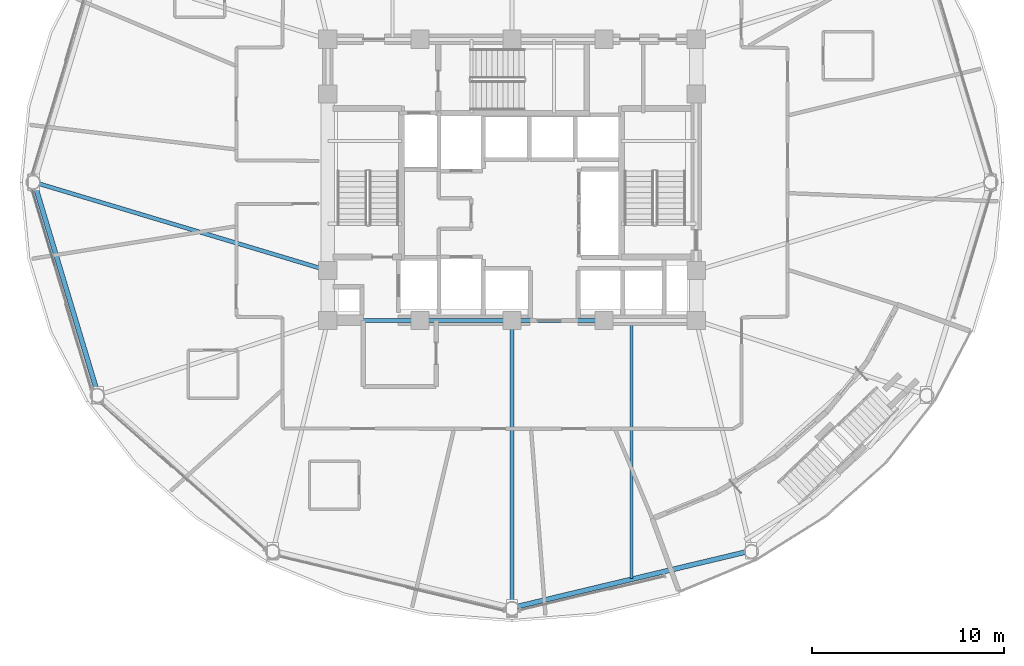
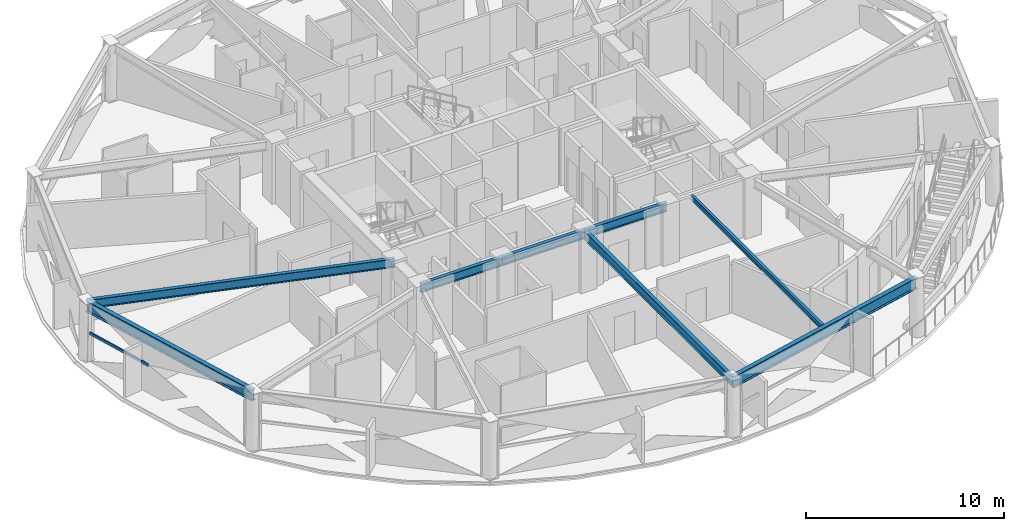
# One storey, part 3 of 18: 8 beams, 1 member, 1 element without a shape of its own.
"""IFC4 building model written with IfcOpenShell, lengths in metres."""

from ifc_helpers import new_model, si_unit, direction, frame, origin, origin_2d, place, context, subcontext, project, spatial, hollow_rectangle, i_section, extrude, material, layer, layer_set, material_profile, profile_set, type_object, element, aggregate, save


model = new_model("IFC4")

# Units and contexts
model_context = context("Model", 3, precision=1e-05, world=origin(), true_north=direction((0.0, 1.0)))
body_context = subcontext(model_context, "Body", "Model", "MODEL_VIEW")
ifc_project = project(units=[si_unit("LENGTHUNIT", "METRE"), si_unit("AREAUNIT", "SQUARE_METRE"), si_unit("VOLUMEUNIT", "CUBIC_METRE"), si_unit("PLANEANGLEUNIT", "RADIAN"), si_unit("MASSUNIT", "GRAM", prefix="KILO")], contexts=[model_context])

# Site, building, storey
site_placement = place(None, origin())
site = spatial("IfcSite", under=ifc_project, at=site_placement, CompositionType="ELEMENT")
building_placement = place(site_placement, origin())
building = spatial("IfcBuilding", under=site, at=building_placement, Name="Vantalir Tower", CompositionType="ELEMENT")
storey_placement = place(building_placement, frame((0.0, 0.0, 138.449951171875)))
storey = spatial("IfcBuildingStorey", under=building, at=storey_placement, Name="L34", CompositionType="ELEMENT", Elevation=138.449951171875)

# Beams
ifc_material_1 = material(Name="Steel S355", Category="steel")
ifc_material_profile_1 = material_profile(ifc_material_1, i_section(OverallWidth=0.166015625, OverallDepth=0.306884765625, WebThickness=0.006591796875, FlangeThickness=0.01171875, at=origin_2d()), Name="Steel S355")
ifc_profile_set_1 = profile_set([ifc_material_profile_1], Name="Steel S355")
beam_type_1 = type_object("IfcBeamType", Name="BM-JS-305x165", PredefinedType="JOIST", material=ifc_profile_set_1)
beam_1_placement = place(storey_placement, frame((37.72705078125, 4.35107421875, 3.416015625), z_axis=(0.0, 1.0, 0.0), x_axis=(-1.0, 0.0, 0.0)))
element("IfcBeam", 1, at=beam_1_placement, inside=storey, type_object=beam_type_1, Name="L34 Composite Trim Joist 02", PredefinedType="JOIST", context=body_context, shape_type="SweptSolid", body=[
    extrude(i_section(OverallWidth=0.166015625, OverallDepth=0.306884765625, WebThickness=0.006591796875, FlangeThickness=0.01171875, at=origin_2d()), origin(), (0.0, 0.0, 1.0), 13.40380859375),
])
ifc_material_profile_2 = material_profile(ifc_material_1, i_section(OverallWidth=0.2109375, OverallDepth=0.5390625, WebThickness=0.01171875, FlangeThickness=0.018798828125, at=origin_2d()), Name="Steel S355")
ifc_profile_set_2 = profile_set([ifc_material_profile_2], Name="Steel S355")
beam_type_2 = type_object("IfcBeamType", Name="BM-RB-533x210", PredefinedType="BEAM", material=ifc_profile_set_2)
for number, where, z_axis, x_axis, name in (
    (2, (21.89990234375, 17.800048828125, 3.301025390625), (1.0, 0.0, 0.0), (0.0, 1.0, 0.0), "L34 Core Coupling Girder 01"),
    (3, (26.699951171875, 17.800048828125, 3.301025390625), (1.0, 0.0, 0.0), (0.0, 1.0, 0.0), "L34 Core Coupling Girder 02"),
    (4, (31.5, 17.800048828125, 3.301025390625), (1.0, 0.0, 0.0), (0.0, 1.0, 0.0), "L34 Core Coupling Girder 03"),
):
    element("IfcBeam", number, at=place(storey_placement, frame(where, z_axis=z_axis, x_axis=x_axis)), inside=storey, type_object=beam_type_2, Name=name, PredefinedType="BEAM", context=body_context, shape_type="SweptSolid", body=[
        extrude(i_section(OverallWidth=0.2109375, OverallDepth=0.5390625, WebThickness=0.01171875, FlangeThickness=0.018798828125, at=origin_2d()), origin(), (0.0, 0.0, 1.0), 4.800048828125),
    ])
beam_2_placement = place(storey_placement, frame((6.593017578125, 25.0, 3.301025390625), z_axis=(0.957687859706, -0.287808900786, 0.0), x_axis=(0.287808900786, 0.957687859706, 0.0)))
element("IfcBeam", 5, at=beam_2_placement, inside=storey, type_object=beam_type_2, Name="L34 Radial Floor Beam 07", PredefinedType="BEAM", context=body_context, shape_type="SweptSolid", body=[
    extrude(i_section(OverallWidth=0.2109375, OverallDepth=0.5390625, WebThickness=0.01171875, FlangeThickness=0.018798828125, at=origin_2d()), origin(), (0.0, 0.0, 1.0), 15.983154296875),
])
beam_3_placement = place(storey_placement, frame((31.5, 2.820068359375, 3.301025390625), z_axis=(0.0, 1.0, 0.0), x_axis=(-1.0, 0.0, 0.0)))
element("IfcBeam", 6, at=beam_3_placement, inside=storey, type_object=beam_type_2, Name="L34 Radial Floor Beam 10", PredefinedType="BEAM", context=body_context, shape_type="SweptSolid", body=[
    extrude(i_section(OverallWidth=0.2109375, OverallDepth=0.5390625, WebThickness=0.01171875, FlangeThickness=0.018798828125, at=origin_2d()), origin(), (0.0, 0.0, 1.0), 14.97998046875),
])
ifc_material_2 = material(Name="Steel S460", Category="steel")
ifc_material_profile_3 = material_profile(ifc_material_2, i_section(OverallWidth=0.256103515625, OverallDepth=0.693115234375, WebThickness=0.014404296875, FlangeThickness=0.023681640625, at=origin_2d()), Name="Steel S460")
ifc_profile_set_3 = profile_set([ifc_material_profile_3], Name="Steel S460")
beam_type_3 = type_object("IfcBeamType", Name="BM-RG-686x254", PredefinedType="USERDEFINED", material=ifc_profile_set_3)
beam_4_placement = place(storey_placement, frame((6.593017578125, 25.0, 3.22412109375), z_axis=(0.288131063354, -0.957590982795, 0.0), x_axis=(0.957590982795, 0.288131063354, 0.0)))
element("IfcBeam", 7, at=beam_4_placement, inside=storey, type_object=beam_type_3, Name="L34 Circumferential Ring Girder 07", ObjectType="GIRDER", PredefinedType="USERDEFINED", context=body_context, shape_type="SweptSolid", body=[
    extrude(i_section(OverallWidth=0.256103515625, OverallDepth=0.693115234375, WebThickness=0.014404296875, FlangeThickness=0.023681640625, at=origin_2d()), origin(), (0.0, 0.0, 1.0), 11.581298828125),
])
beam_5_placement = place(storey_placement, frame((31.5, 2.820068359375, 3.22412109375), z_axis=(0.97268885967, 0.23211286538, 0.0), x_axis=(-0.23211286538, 0.97268885967, 0.0)))
element("IfcBeam", 8, at=beam_5_placement, inside=storey, type_object=beam_type_3, Name="L34 Circumferential Ring Girder 10", ObjectType="GIRDER", PredefinedType="USERDEFINED", context=body_context, shape_type="SweptSolid", body=[
    extrude(i_section(OverallWidth=0.256103515625, OverallDepth=0.693115234375, WebThickness=0.014404296875, FlangeThickness=0.023681640625, at=origin_2d()), origin(), (0.0, 0.0, 1.0), 12.8037109375),
])

# Curtain wall, member
ifc_material_3 = material(Name="Champagne-silver PVDF aluminium and double-silver Low-E glass", Category="aluminium")
ifc_layer = layer(ifc_material_3, 0.199951171875)
ifc_layer_set = layer_set([ifc_layer], Name="Champagne-silver PVDF aluminium and double-silver Low-E glass")
curtain_wall_type = type_object("IfcCurtainWallType", Name="CW-DIAMOND-Z2", PredefinedType="USERDEFINED", material=ifc_layer_set)
curtain_wall_placement = place(storey_placement, origin())
curtain_wall = element("IfcCurtainWall", 9, at=curtain_wall_placement, inside=storey, type_object=curtain_wall_type, Name="L34 Quilted Pyramid-Diamond Curtain Wall S07", ObjectType="UNITISED CURTAIN WALL", PredefinedType="USERDEFINED")
ifc_material_4 = material(Name="Champagne-silver PVDF aluminium 6063-T6", Category="aluminium")
ifc_material_profile_4 = material_profile(ifc_material_4, hollow_rectangle(XDim=0.074951171875, YDim=0.159912109375, WallThickness=0.00390625, at=origin_2d()), Name="Champagne-silver PVDF aluminium 6063-T6")
ifc_profile_set_4 = profile_set([ifc_material_profile_4], Name="Champagne-silver PVDF aluminium 6063-T6")
member_type = type_object("IfcMemberType", Name="CWT-160x75", PredefinedType="USERDEFINED", material=ifc_profile_set_4)
member_placement = place(storey_placement, frame((6.4990234375, 24.5791015625, 1.78515625), z_axis=(0.282179197122, -0.959361715263, 0.0), x_axis=(0.959361715263, 0.282179197122, 0.0)))
member = element("IfcMember", 10, at=member_placement, type_object=member_type, Name="CW-L34-S07 Pyramid Fold Ridge Transom", ObjectType="TRANSOM", PredefinedType="USERDEFINED", context=body_context, shape_type="SweptSolid", body=[
    extrude(hollow_rectangle(XDim=0.074951171875, YDim=0.159912109375, WallThickness=0.00390625, at=origin_2d()), origin(), (0.0, 0.0, 1.0), 4.107177734375),
])
aggregate(curtain_wall, [member])

save(model, "model.ifc")
